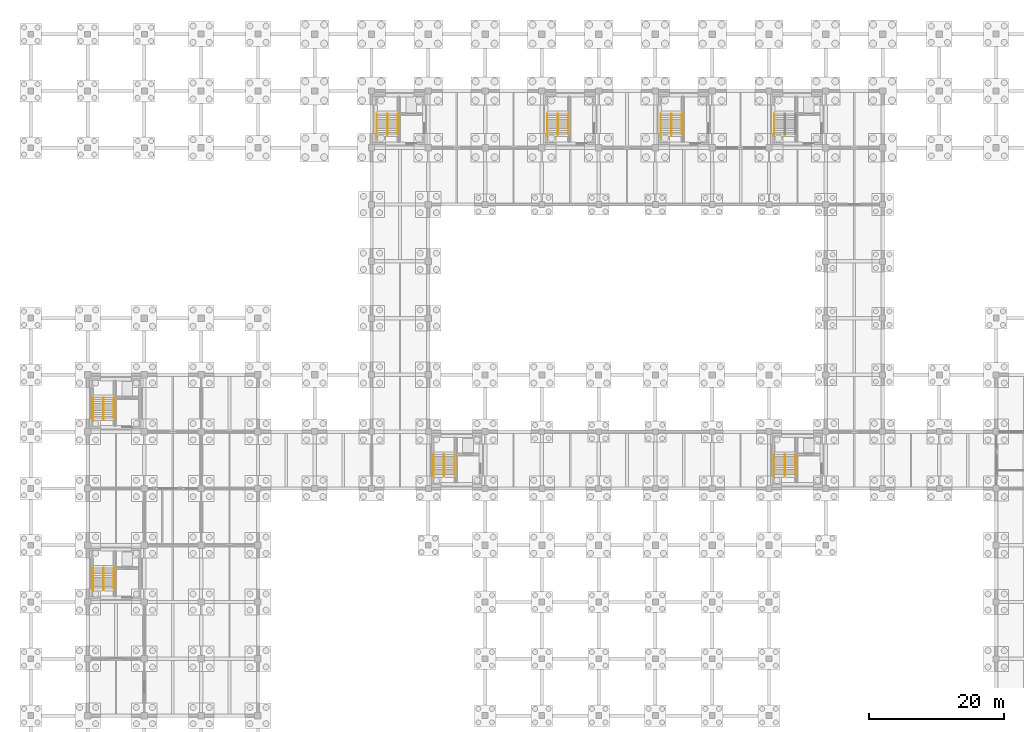
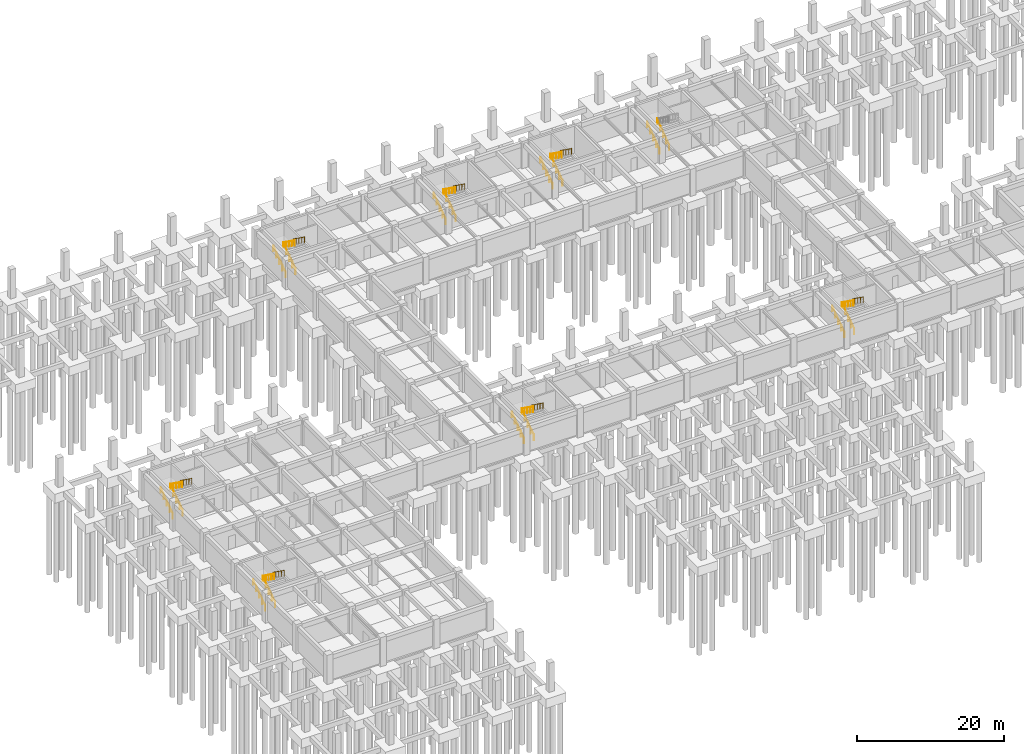
# One storey, part 27 of 29: 30 railings.
"""IFC4 building model written with IfcOpenShell, lengths in metres."""

from ifc_helpers import new_model, si_unit, direction, frame, origin, origin_2d, place, context, subcontext, project, spatial, circle, extrude, material, type_object, element, save


model = new_model("IFC4")

# Units and contexts
model_context = context("Model", 3, precision=1e-05, world=origin(), true_north=direction((0.0, 1.0)))
body_context = subcontext(model_context, "Body", "Model", "MODEL_VIEW")
ifc_project = project(units=[si_unit("LENGTHUNIT", "METRE"), si_unit("AREAUNIT", "SQUARE_METRE"), si_unit("VOLUMEUNIT", "CUBIC_METRE"), si_unit("PLANEANGLEUNIT", "RADIAN"), si_unit("MASSUNIT", "GRAM", prefix="KILO")], contexts=[model_context])

# Site, building, storey
site_placement = place(None, origin())
site = spatial("IfcSite", under=ifc_project, at=site_placement, CompositionType="ELEMENT")
building_placement = place(site_placement, origin())
building = spatial("IfcBuilding", under=site, at=building_placement, Name="Porcellanite Civic Hall", CompositionType="ELEMENT")
storey_placement = place(building_placement, frame((0.0, 0.0, -4.5)))
storey = spatial("IfcBuildingStorey", under=building, at=storey_placement, Name="B1", CompositionType="ELEMENT", Elevation=-4.5)

# Railings
ifc_material_1 = material(Name="Brushed stainless steel 316", Category="steel")
railing_type_1 = type_object("IfcRailingType", Name="RL-HR920", PredefinedType="HANDRAIL", material=ifc_material_1)
railing_1_placement = place(storey_placement, frame((9.18505859375, 35.324951171875, 0.0)))
element("IfcRailing", 1, at=railing_1_placement, inside=storey, type_object=railing_type_1, Name="Stair handrail ST-01 B1 1", PredefinedType="HANDRAIL", context=body_context, shape_type="SweptSolid", body=[
    extrude(circle(Radius=0.02197265625, at=origin_2d()), frame((0.0, 0.0, 0.89794921875), z_axis=(0.0, 0.815726678323, 0.578437538782), x_axis=(-1.0, 0.0, 0.0)), (0.0, 0.0, 1.0), 4.045654296875),
    extrude(circle(Radius=0.01904296875, at=origin_2d()), origin(), (0.0, 0.0, 1.0), 0.8759765625),
    extrude(circle(Radius=0.01904296875, at=origin_2d()), frame((0.0, 0.824951171875, 0.5849609375)), (0.0, 0.0, 1.0), 0.8759765625),
    extrude(circle(Radius=0.01904296875, at=origin_2d()), frame((0.0, 1.64990234375, 1.169921875)), (0.0, 0.0, 1.0), 0.8759765625),
    extrude(circle(Radius=0.01904296875, at=origin_2d()), frame((0.0, 2.47509765625, 1.755126953125)), (0.0, 0.0, 1.0), 0.8759765625),
    extrude(circle(Radius=0.01904296875, at=origin_2d()), frame((0.0, 3.300048828125, 2.340087890625)), (0.0, 0.0, 1.0), 0.8759765625),
])
railing_2_placement = place(storey_placement, frame((10.764892578125, 38.625, 2.340087890625)))
element("IfcRailing", 2, at=railing_2_placement, inside=storey, type_object=railing_type_1, Name="Stair handrail ST-01 B1 3", PredefinedType="HANDRAIL", context=body_context, shape_type="SweptSolid", body=[
    extrude(circle(Radius=0.02197265625, at=origin_2d()), frame((0.0, 0.0, 0.89794921875), z_axis=(0.0, -0.813826661234, 0.581107705564), x_axis=(1.0, 0.0, 0.0)), (0.0, 0.0, 1.0), 3.716796875),
    extrude(circle(Radius=0.01904296875, at=origin_2d()), origin(), (0.0, 0.0, 1.0), 0.8759765625),
    extrude(circle(Radius=0.01904296875, at=origin_2d()), frame((0.0, -0.75634765625, 0.5400390625)), (0.0, 0.0, 1.0), 0.8759765625),
    extrude(circle(Radius=0.01904296875, at=origin_2d()), frame((0.0, -1.512451171875, 1.080078125)), (0.0, 0.0, 1.0), 0.8759765625),
    extrude(circle(Radius=0.01904296875, at=origin_2d()), frame((0.0, -2.2685546875, 1.619873046875)), (0.0, 0.0, 1.0), 0.8759765625),
    extrude(circle(Radius=0.01904296875, at=origin_2d()), frame((0.0, -3.02490234375, 2.159912109375)), (0.0, 0.0, 1.0), 0.8759765625),
])
railing_3_placement = place(storey_placement, frame((9.18505859375, 60.52490234375, 0.0)))
element("IfcRailing", 3, at=railing_3_placement, inside=storey, type_object=railing_type_1, Name="Stair handrail ST-02 B1 1", PredefinedType="HANDRAIL", context=body_context, shape_type="SweptSolid", body=[
    extrude(circle(Radius=0.02197265625, at=origin_2d()), frame((0.0, 0.0, 0.89794921875), z_axis=(0.0, 0.815726678323, 0.578437538782), x_axis=(-1.0, 0.0, 0.0)), (0.0, 0.0, 1.0), 4.045654296875),
    extrude(circle(Radius=0.01904296875, at=origin_2d()), origin(), (0.0, 0.0, 1.0), 0.8759765625),
    extrude(circle(Radius=0.01904296875, at=origin_2d()), frame((0.0, 0.824951171875, 0.5849609375)), (0.0, 0.0, 1.0), 0.8759765625),
    extrude(circle(Radius=0.01904296875, at=origin_2d()), frame((0.0, 1.64990234375, 1.169921875)), (0.0, 0.0, 1.0), 0.8759765625),
    extrude(circle(Radius=0.01904296875, at=origin_2d()), frame((0.0, 2.47509765625, 1.755126953125)), (0.0, 0.0, 1.0), 0.8759765625),
    extrude(circle(Radius=0.01904296875, at=origin_2d()), frame((0.0, 3.300048828125, 2.340087890625)), (0.0, 0.0, 1.0), 0.8759765625),
])
railing_4_placement = place(storey_placement, frame((10.764892578125, 63.824951171875, 2.340087890625)))
element("IfcRailing", 4, at=railing_4_placement, inside=storey, type_object=railing_type_1, Name="Stair handrail ST-02 B1 3", PredefinedType="HANDRAIL", context=body_context, shape_type="SweptSolid", body=[
    extrude(circle(Radius=0.02197265625, at=origin_2d()), frame((0.0, 0.0, 0.89794921875), z_axis=(0.0, -0.813826661234, 0.581107705564), x_axis=(1.0, 0.0, 0.0)), (0.0, 0.0, 1.0), 3.716796875),
    extrude(circle(Radius=0.01904296875, at=origin_2d()), origin(), (0.0, 0.0, 1.0), 0.8759765625),
    extrude(circle(Radius=0.01904296875, at=origin_2d()), frame((0.0, -0.75634765625, 0.5400390625)), (0.0, 0.0, 1.0), 0.8759765625),
    extrude(circle(Radius=0.01904296875, at=origin_2d()), frame((0.0, -1.512451171875, 1.080078125)), (0.0, 0.0, 1.0), 0.8759765625),
    extrude(circle(Radius=0.01904296875, at=origin_2d()), frame((0.0, -2.2685546875, 1.619873046875)), (0.0, 0.0, 1.0), 0.8759765625),
    extrude(circle(Radius=0.01904296875, at=origin_2d()), frame((0.0, -3.02490234375, 2.159912109375)), (0.0, 0.0, 1.0), 0.8759765625),
])
railing_5_placement = place(storey_placement, frame((51.18505859375, 102.52490234375, 0.0)))
element("IfcRailing", 5, at=railing_5_placement, inside=storey, type_object=railing_type_1, Name="Stair handrail ST-03 B1 1", PredefinedType="HANDRAIL", context=body_context, shape_type="SweptSolid", body=[
    extrude(circle(Radius=0.02197265625, at=origin_2d()), frame((0.0, 0.0, 0.89794921875), z_axis=(0.0, 0.815726678323, 0.578437538782), x_axis=(-1.0, 0.0, 0.0)), (0.0, 0.0, 1.0), 4.045654296875),
    extrude(circle(Radius=0.01904296875, at=origin_2d()), origin(), (0.0, 0.0, 1.0), 0.8759765625),
    extrude(circle(Radius=0.01904296875, at=origin_2d()), frame((0.0, 0.824951171875, 0.5849609375)), (0.0, 0.0, 1.0), 0.8759765625),
    extrude(circle(Radius=0.01904296875, at=origin_2d()), frame((0.0, 1.64990234375, 1.169921875)), (0.0, 0.0, 1.0), 0.8759765625),
    extrude(circle(Radius=0.01904296875, at=origin_2d()), frame((0.0, 2.47509765625, 1.755126953125)), (0.0, 0.0, 1.0), 0.8759765625),
    extrude(circle(Radius=0.01904296875, at=origin_2d()), frame((0.0, 3.300048828125, 2.340087890625)), (0.0, 0.0, 1.0), 0.8759765625),
])
railing_6_placement = place(storey_placement, frame((52.764892578125, 105.824951171875, 2.340087890625)))
element("IfcRailing", 6, at=railing_6_placement, inside=storey, type_object=railing_type_1, Name="Stair handrail ST-03 B1 3", PredefinedType="HANDRAIL", context=body_context, shape_type="SweptSolid", body=[
    extrude(circle(Radius=0.02197265625, at=origin_2d()), frame((0.0, 0.0, 0.89794921875), z_axis=(0.0, -0.813826661234, 0.581107705564), x_axis=(1.0, 0.0, 0.0)), (0.0, 0.0, 1.0), 3.716796875),
    extrude(circle(Radius=0.01904296875, at=origin_2d()), origin(), (0.0, 0.0, 1.0), 0.8759765625),
    extrude(circle(Radius=0.01904296875, at=origin_2d()), frame((0.0, -0.75634765625, 0.5400390625)), (0.0, 0.0, 1.0), 0.8759765625),
    extrude(circle(Radius=0.01904296875, at=origin_2d()), frame((0.0, -1.512451171875, 1.080078125)), (0.0, 0.0, 1.0), 0.8759765625),
    extrude(circle(Radius=0.01904296875, at=origin_2d()), frame((0.0, -2.2685546875, 1.619873046875)), (0.0, 0.0, 1.0), 0.8759765625),
    extrude(circle(Radius=0.01904296875, at=origin_2d()), frame((0.0, -3.02490234375, 2.159912109375)), (0.0, 0.0, 1.0), 0.8759765625),
])
for number, where, name in (
    (7, (109.985107421875, 102.52490234375, 0.0), "Stair handrail ST-04 B1 1"),
    (8, (59.5849609375, 52.125, 0.0), "Stair handrail ST-05 B1 1"),
):
    element("IfcRailing", number, at=place(storey_placement, frame(where)), inside=storey, type_object=railing_type_1, Name=name, PredefinedType="HANDRAIL", context=body_context, shape_type="SweptSolid", body=[
        extrude(circle(Radius=0.02197265625, at=origin_2d()), frame((0.0, 0.0, 0.89794921875), z_axis=(0.0, 0.815726678323, 0.578437538782), x_axis=(-1.0, 0.0, 0.0)), (0.0, 0.0, 1.0), 4.045654296875),
        extrude(circle(Radius=0.01904296875, at=origin_2d()), origin(), (0.0, 0.0, 1.0), 0.8759765625),
        extrude(circle(Radius=0.01904296875, at=origin_2d()), frame((0.0, 0.824951171875, 0.5849609375)), (0.0, 0.0, 1.0), 0.8759765625),
        extrude(circle(Radius=0.01904296875, at=origin_2d()), frame((0.0, 1.64990234375, 1.169921875)), (0.0, 0.0, 1.0), 0.8759765625),
        extrude(circle(Radius=0.01904296875, at=origin_2d()), frame((0.0, 2.47509765625, 1.755126953125)), (0.0, 0.0, 1.0), 0.8759765625),
        extrude(circle(Radius=0.01904296875, at=origin_2d()), frame((0.0, 3.300048828125, 2.340087890625)), (0.0, 0.0, 1.0), 0.8759765625),
    ])
railing_7_placement = place(storey_placement, frame((61.1650390625, 55.425048828125, 2.340087890625)))
element("IfcRailing", 9, at=railing_7_placement, inside=storey, type_object=railing_type_1, Name="Stair handrail ST-05 B1 3", PredefinedType="HANDRAIL", context=body_context, shape_type="SweptSolid", body=[
    extrude(circle(Radius=0.02197265625, at=origin_2d()), frame((0.0, 0.0, 0.89794921875), z_axis=(0.0, -0.813848840085, 0.581076643389), x_axis=(1.0, 0.0, 0.0)), (0.0, 0.0, 1.0), 3.717041015625),
    extrude(circle(Radius=0.01904296875, at=origin_2d()), origin(), (0.0, 0.0, 1.0), 0.8759765625),
    extrude(circle(Radius=0.01904296875, at=origin_2d()), frame((0.0, -0.75634765625, 0.5400390625)), (0.0, 0.0, 1.0), 0.8759765625),
    extrude(circle(Radius=0.01904296875, at=origin_2d()), frame((0.0, -1.5126953125, 1.080078125)), (0.0, 0.0, 1.0), 0.8759765625),
    extrude(circle(Radius=0.01904296875, at=origin_2d()), frame((0.0, -2.268798828125, 1.619873046875)), (0.0, 0.0, 1.0), 0.8759765625),
    extrude(circle(Radius=0.01904296875, at=origin_2d()), frame((0.0, -3.025146484375, 2.159912109375)), (0.0, 0.0, 1.0), 0.8759765625),
])
railing_8_placement = place(storey_placement, frame((109.985107421875, 52.125, 0.0)))
element("IfcRailing", 10, at=railing_8_placement, inside=storey, type_object=railing_type_1, Name="Stair handrail ST-06 B1 1", PredefinedType="HANDRAIL", context=body_context, shape_type="SweptSolid", body=[
    extrude(circle(Radius=0.02197265625, at=origin_2d()), frame((0.0, 0.0, 0.89794921875), z_axis=(0.0, 0.815726678323, 0.578437538782), x_axis=(-1.0, 0.0, 0.0)), (0.0, 0.0, 1.0), 4.045654296875),
    extrude(circle(Radius=0.01904296875, at=origin_2d()), origin(), (0.0, 0.0, 1.0), 0.8759765625),
    extrude(circle(Radius=0.01904296875, at=origin_2d()), frame((0.0, 0.824951171875, 0.5849609375)), (0.0, 0.0, 1.0), 0.8759765625),
    extrude(circle(Radius=0.01904296875, at=origin_2d()), frame((0.0, 1.64990234375, 1.169921875)), (0.0, 0.0, 1.0), 0.8759765625),
    extrude(circle(Radius=0.01904296875, at=origin_2d()), frame((0.0, 2.47509765625, 1.755126953125)), (0.0, 0.0, 1.0), 0.8759765625),
    extrude(circle(Radius=0.01904296875, at=origin_2d()), frame((0.0, 3.300048828125, 2.340087890625)), (0.0, 0.0, 1.0), 0.8759765625),
])
railing_9_placement = place(storey_placement, frame((111.56494140625, 55.425048828125, 2.340087890625)))
element("IfcRailing", 11, at=railing_9_placement, inside=storey, type_object=railing_type_1, Name="Stair handrail ST-06 B1 3", PredefinedType="HANDRAIL", context=body_context, shape_type="SweptSolid", body=[
    extrude(circle(Radius=0.02197265625, at=origin_2d()), frame((0.0, 0.0, 0.89794921875), z_axis=(0.0, -0.813848840085, 0.581076643389), x_axis=(1.0, 0.0, 0.0)), (0.0, 0.0, 1.0), 3.717041015625),
    extrude(circle(Radius=0.01904296875, at=origin_2d()), origin(), (0.0, 0.0, 1.0), 0.8759765625),
    extrude(circle(Radius=0.01904296875, at=origin_2d()), frame((0.0, -0.75634765625, 0.5400390625)), (0.0, 0.0, 1.0), 0.8759765625),
    extrude(circle(Radius=0.01904296875, at=origin_2d()), frame((0.0, -1.5126953125, 1.080078125)), (0.0, 0.0, 1.0), 0.8759765625),
    extrude(circle(Radius=0.01904296875, at=origin_2d()), frame((0.0, -2.268798828125, 1.619873046875)), (0.0, 0.0, 1.0), 0.8759765625),
    extrude(circle(Radius=0.01904296875, at=origin_2d()), frame((0.0, -3.025146484375, 2.159912109375)), (0.0, 0.0, 1.0), 0.8759765625),
])
railing_10_placement = place(storey_placement, frame((76.385009765625, 102.52490234375, 0.0)))
element("IfcRailing", 12, at=railing_10_placement, inside=storey, type_object=railing_type_1, Name="Stair handrail ST-09 B1 1", PredefinedType="HANDRAIL", context=body_context, shape_type="SweptSolid", body=[
    extrude(circle(Radius=0.02197265625, at=origin_2d()), frame((0.0, 0.0, 0.89794921875), z_axis=(0.0, 0.815726678323, 0.578437538782), x_axis=(-1.0, 0.0, 0.0)), (0.0, 0.0, 1.0), 4.045654296875),
    extrude(circle(Radius=0.01904296875, at=origin_2d()), origin(), (0.0, 0.0, 1.0), 0.8759765625),
    extrude(circle(Radius=0.01904296875, at=origin_2d()), frame((0.0, 0.824951171875, 0.5849609375)), (0.0, 0.0, 1.0), 0.8759765625),
    extrude(circle(Radius=0.01904296875, at=origin_2d()), frame((0.0, 1.64990234375, 1.169921875)), (0.0, 0.0, 1.0), 0.8759765625),
    extrude(circle(Radius=0.01904296875, at=origin_2d()), frame((0.0, 2.47509765625, 1.755126953125)), (0.0, 0.0, 1.0), 0.8759765625),
    extrude(circle(Radius=0.01904296875, at=origin_2d()), frame((0.0, 3.300048828125, 2.340087890625)), (0.0, 0.0, 1.0), 0.8759765625),
])
railing_11_placement = place(storey_placement, frame((77.965087890625, 105.824951171875, 2.340087890625)))
element("IfcRailing", 13, at=railing_11_placement, inside=storey, type_object=railing_type_1, Name="Stair handrail ST-09 B1 3", PredefinedType="HANDRAIL", context=body_context, shape_type="SweptSolid", body=[
    extrude(circle(Radius=0.02197265625, at=origin_2d()), frame((0.0, 0.0, 0.89794921875), z_axis=(0.0, -0.813826661234, 0.581107705564), x_axis=(1.0, 0.0, 0.0)), (0.0, 0.0, 1.0), 3.716796875),
    extrude(circle(Radius=0.01904296875, at=origin_2d()), origin(), (0.0, 0.0, 1.0), 0.8759765625),
    extrude(circle(Radius=0.01904296875, at=origin_2d()), frame((0.0, -0.75634765625, 0.5400390625)), (0.0, 0.0, 1.0), 0.8759765625),
    extrude(circle(Radius=0.01904296875, at=origin_2d()), frame((0.0, -1.512451171875, 1.080078125)), (0.0, 0.0, 1.0), 0.8759765625),
    extrude(circle(Radius=0.01904296875, at=origin_2d()), frame((0.0, -2.2685546875, 1.619873046875)), (0.0, 0.0, 1.0), 0.8759765625),
    extrude(circle(Radius=0.01904296875, at=origin_2d()), frame((0.0, -3.02490234375, 2.159912109375)), (0.0, 0.0, 1.0), 0.8759765625),
])
railing_12_placement = place(storey_placement, frame((93.18505859375, 102.52490234375, 0.0)))
element("IfcRailing", 14, at=railing_12_placement, inside=storey, type_object=railing_type_1, Name="Stair handrail ST-10 B1 1", PredefinedType="HANDRAIL", context=body_context, shape_type="SweptSolid", body=[
    extrude(circle(Radius=0.02197265625, at=origin_2d()), frame((0.0, 0.0, 0.89794921875), z_axis=(0.0, 0.815726678323, 0.578437538782), x_axis=(-1.0, 0.0, 0.0)), (0.0, 0.0, 1.0), 4.045654296875),
    extrude(circle(Radius=0.01904296875, at=origin_2d()), origin(), (0.0, 0.0, 1.0), 0.8759765625),
    extrude(circle(Radius=0.01904296875, at=origin_2d()), frame((0.0, 0.824951171875, 0.5849609375)), (0.0, 0.0, 1.0), 0.8759765625),
    extrude(circle(Radius=0.01904296875, at=origin_2d()), frame((0.0, 1.64990234375, 1.169921875)), (0.0, 0.0, 1.0), 0.8759765625),
    extrude(circle(Radius=0.01904296875, at=origin_2d()), frame((0.0, 2.47509765625, 1.755126953125)), (0.0, 0.0, 1.0), 0.8759765625),
    extrude(circle(Radius=0.01904296875, at=origin_2d()), frame((0.0, 3.300048828125, 2.340087890625)), (0.0, 0.0, 1.0), 0.8759765625),
])
railing_13_placement = place(storey_placement, frame((94.764892578125, 105.824951171875, 2.340087890625)))
element("IfcRailing", 15, at=railing_13_placement, inside=storey, type_object=railing_type_1, Name="Stair handrail ST-10 B1 3", PredefinedType="HANDRAIL", context=body_context, shape_type="SweptSolid", body=[
    extrude(circle(Radius=0.02197265625, at=origin_2d()), frame((0.0, 0.0, 0.89794921875), z_axis=(0.0, -0.813826661234, 0.581107705564), x_axis=(1.0, 0.0, 0.0)), (0.0, 0.0, 1.0), 3.716796875),
    extrude(circle(Radius=0.01904296875, at=origin_2d()), origin(), (0.0, 0.0, 1.0), 0.8759765625),
    extrude(circle(Radius=0.01904296875, at=origin_2d()), frame((0.0, -0.75634765625, 0.5400390625)), (0.0, 0.0, 1.0), 0.8759765625),
    extrude(circle(Radius=0.01904296875, at=origin_2d()), frame((0.0, -1.512451171875, 1.080078125)), (0.0, 0.0, 1.0), 0.8759765625),
    extrude(circle(Radius=0.01904296875, at=origin_2d()), frame((0.0, -2.2685546875, 1.619873046875)), (0.0, 0.0, 1.0), 0.8759765625),
    extrude(circle(Radius=0.01904296875, at=origin_2d()), frame((0.0, -3.02490234375, 2.159912109375)), (0.0, 0.0, 1.0), 0.8759765625),
])
ifc_material_2 = material(Name="Brushed stainless steel 316", Category="steel")
railing_type_2 = type_object("IfcRailingType", Name="RL-HR950", PredefinedType="HANDRAIL", material=ifc_material_2)
railing_14_placement = place(storey_placement, frame((10.735107421875, 35.324951171875, 0.0)))
element("IfcRailing", 16, at=railing_14_placement, inside=storey, type_object=railing_type_2, Name="Stair handrail ST-01 B1 2", PredefinedType="HANDRAIL", context=body_context, shape_type="SweptSolid", body=[
    extrude(circle(Radius=0.02197265625, at=origin_2d()), frame((0.0, 0.0, 0.927978515625), z_axis=(0.0, 0.815726678323, 0.578437538782), x_axis=(-1.0, 0.0, 0.0)), (0.0, 0.0, 1.0), 4.045654296875),
    extrude(circle(Radius=0.01904296875, at=origin_2d()), origin(), (0.0, 0.0, 1.0), 0.906005859375),
    extrude(circle(Radius=0.01904296875, at=origin_2d()), frame((0.0, 0.824951171875, 0.5849609375)), (0.0, 0.0, 1.0), 0.906005859375),
    extrude(circle(Radius=0.01904296875, at=origin_2d()), frame((0.0, 1.64990234375, 1.169921875)), (0.0, 0.0, 1.0), 0.906005859375),
    extrude(circle(Radius=0.01904296875, at=origin_2d()), frame((0.0, 2.47509765625, 1.755126953125)), (0.0, 0.0, 1.0), 0.906005859375),
    extrude(circle(Radius=0.01904296875, at=origin_2d()), frame((0.0, 3.300048828125, 2.340087890625)), (0.0, 0.0, 1.0), 0.906005859375),
])
railing_15_placement = place(storey_placement, frame((12.31494140625, 38.625, 2.340087890625)))
element("IfcRailing", 17, at=railing_15_placement, inside=storey, type_object=railing_type_2, Name="Stair handrail ST-01 B1 4", PredefinedType="HANDRAIL", context=body_context, shape_type="SweptSolid", body=[
    extrude(circle(Radius=0.02197265625, at=origin_2d()), frame((0.0, 0.0, 0.927978515625), z_axis=(0.0, -0.813826661234, 0.581107705564), x_axis=(1.0, 0.0, 0.0)), (0.0, 0.0, 1.0), 3.716796875),
    extrude(circle(Radius=0.01904296875, at=origin_2d()), origin(), (0.0, 0.0, 1.0), 0.906005859375),
    extrude(circle(Radius=0.01904296875, at=origin_2d()), frame((0.0, -0.75634765625, 0.5400390625)), (0.0, 0.0, 1.0), 0.906005859375),
    extrude(circle(Radius=0.01904296875, at=origin_2d()), frame((0.0, -1.512451171875, 1.080078125)), (0.0, 0.0, 1.0), 0.906005859375),
    extrude(circle(Radius=0.01904296875, at=origin_2d()), frame((0.0, -2.2685546875, 1.619873046875)), (0.0, 0.0, 1.0), 0.906005859375),
    extrude(circle(Radius=0.01904296875, at=origin_2d()), frame((0.0, -3.02490234375, 2.159912109375)), (0.0, 0.0, 1.0), 0.906005859375),
])
railing_16_placement = place(storey_placement, frame((10.735107421875, 60.52490234375, 0.0)))
element("IfcRailing", 18, at=railing_16_placement, inside=storey, type_object=railing_type_2, Name="Stair handrail ST-02 B1 2", PredefinedType="HANDRAIL", context=body_context, shape_type="SweptSolid", body=[
    extrude(circle(Radius=0.02197265625, at=origin_2d()), frame((0.0, 0.0, 0.927978515625), z_axis=(0.0, 0.815726678323, 0.578437538782), x_axis=(-1.0, 0.0, 0.0)), (0.0, 0.0, 1.0), 4.045654296875),
    extrude(circle(Radius=0.01904296875, at=origin_2d()), origin(), (0.0, 0.0, 1.0), 0.906005859375),
    extrude(circle(Radius=0.01904296875, at=origin_2d()), frame((0.0, 0.824951171875, 0.5849609375)), (0.0, 0.0, 1.0), 0.906005859375),
    extrude(circle(Radius=0.01904296875, at=origin_2d()), frame((0.0, 1.64990234375, 1.169921875)), (0.0, 0.0, 1.0), 0.906005859375),
    extrude(circle(Radius=0.01904296875, at=origin_2d()), frame((0.0, 2.47509765625, 1.755126953125)), (0.0, 0.0, 1.0), 0.906005859375),
    extrude(circle(Radius=0.01904296875, at=origin_2d()), frame((0.0, 3.300048828125, 2.340087890625)), (0.0, 0.0, 1.0), 0.906005859375),
])
railing_17_placement = place(storey_placement, frame((12.31494140625, 63.824951171875, 2.340087890625)))
element("IfcRailing", 19, at=railing_17_placement, inside=storey, type_object=railing_type_2, Name="Stair handrail ST-02 B1 4", PredefinedType="HANDRAIL", context=body_context, shape_type="SweptSolid", body=[
    extrude(circle(Radius=0.02197265625, at=origin_2d()), frame((0.0, 0.0, 0.927978515625), z_axis=(0.0, -0.813826661234, 0.581107705564), x_axis=(1.0, 0.0, 0.0)), (0.0, 0.0, 1.0), 3.716796875),
    extrude(circle(Radius=0.01904296875, at=origin_2d()), origin(), (0.0, 0.0, 1.0), 0.906005859375),
    extrude(circle(Radius=0.01904296875, at=origin_2d()), frame((0.0, -0.75634765625, 0.5400390625)), (0.0, 0.0, 1.0), 0.906005859375),
    extrude(circle(Radius=0.01904296875, at=origin_2d()), frame((0.0, -1.512451171875, 1.080078125)), (0.0, 0.0, 1.0), 0.906005859375),
    extrude(circle(Radius=0.01904296875, at=origin_2d()), frame((0.0, -2.2685546875, 1.619873046875)), (0.0, 0.0, 1.0), 0.906005859375),
    extrude(circle(Radius=0.01904296875, at=origin_2d()), frame((0.0, -3.02490234375, 2.159912109375)), (0.0, 0.0, 1.0), 0.906005859375),
])
railing_18_placement = place(storey_placement, frame((52.735107421875, 102.52490234375, 0.0)))
element("IfcRailing", 20, at=railing_18_placement, inside=storey, type_object=railing_type_2, Name="Stair handrail ST-03 B1 2", PredefinedType="HANDRAIL", context=body_context, shape_type="SweptSolid", body=[
    extrude(circle(Radius=0.02197265625, at=origin_2d()), frame((0.0, 0.0, 0.927978515625), z_axis=(0.0, 0.815726678323, 0.578437538782), x_axis=(-1.0, 0.0, 0.0)), (0.0, 0.0, 1.0), 4.045654296875),
    extrude(circle(Radius=0.01904296875, at=origin_2d()), origin(), (0.0, 0.0, 1.0), 0.906005859375),
    extrude(circle(Radius=0.01904296875, at=origin_2d()), frame((0.0, 0.824951171875, 0.5849609375)), (0.0, 0.0, 1.0), 0.906005859375),
    extrude(circle(Radius=0.01904296875, at=origin_2d()), frame((0.0, 1.64990234375, 1.169921875)), (0.0, 0.0, 1.0), 0.906005859375),
    extrude(circle(Radius=0.01904296875, at=origin_2d()), frame((0.0, 2.47509765625, 1.755126953125)), (0.0, 0.0, 1.0), 0.906005859375),
    extrude(circle(Radius=0.01904296875, at=origin_2d()), frame((0.0, 3.300048828125, 2.340087890625)), (0.0, 0.0, 1.0), 0.906005859375),
])
railing_19_placement = place(storey_placement, frame((54.31494140625, 105.824951171875, 2.340087890625)))
element("IfcRailing", 21, at=railing_19_placement, inside=storey, type_object=railing_type_2, Name="Stair handrail ST-03 B1 4", PredefinedType="HANDRAIL", context=body_context, shape_type="SweptSolid", body=[
    extrude(circle(Radius=0.02197265625, at=origin_2d()), frame((0.0, 0.0, 0.927978515625), z_axis=(0.0, -0.813826661234, 0.581107705564), x_axis=(1.0, 0.0, 0.0)), (0.0, 0.0, 1.0), 3.716796875),
    extrude(circle(Radius=0.01904296875, at=origin_2d()), origin(), (0.0, 0.0, 1.0), 0.906005859375),
    extrude(circle(Radius=0.01904296875, at=origin_2d()), frame((0.0, -0.75634765625, 0.5400390625)), (0.0, 0.0, 1.0), 0.906005859375),
    extrude(circle(Radius=0.01904296875, at=origin_2d()), frame((0.0, -1.512451171875, 1.080078125)), (0.0, 0.0, 1.0), 0.906005859375),
    extrude(circle(Radius=0.01904296875, at=origin_2d()), frame((0.0, -2.2685546875, 1.619873046875)), (0.0, 0.0, 1.0), 0.906005859375),
    extrude(circle(Radius=0.01904296875, at=origin_2d()), frame((0.0, -3.02490234375, 2.159912109375)), (0.0, 0.0, 1.0), 0.906005859375),
])
for number, where, name in (
    (22, (111.534912109375, 102.52490234375, 0.0), "Stair handrail ST-04 B1 2"),
    (23, (61.135009765625, 52.125, 0.0), "Stair handrail ST-05 B1 2"),
):
    element("IfcRailing", number, at=place(storey_placement, frame(where)), inside=storey, type_object=railing_type_2, Name=name, PredefinedType="HANDRAIL", context=body_context, shape_type="SweptSolid", body=[
        extrude(circle(Radius=0.02197265625, at=origin_2d()), frame((0.0, 0.0, 0.927978515625), z_axis=(0.0, 0.815726678323, 0.578437538782), x_axis=(-1.0, 0.0, 0.0)), (0.0, 0.0, 1.0), 4.045654296875),
        extrude(circle(Radius=0.01904296875, at=origin_2d()), origin(), (0.0, 0.0, 1.0), 0.906005859375),
        extrude(circle(Radius=0.01904296875, at=origin_2d()), frame((0.0, 0.824951171875, 0.5849609375)), (0.0, 0.0, 1.0), 0.906005859375),
        extrude(circle(Radius=0.01904296875, at=origin_2d()), frame((0.0, 1.64990234375, 1.169921875)), (0.0, 0.0, 1.0), 0.906005859375),
        extrude(circle(Radius=0.01904296875, at=origin_2d()), frame((0.0, 2.47509765625, 1.755126953125)), (0.0, 0.0, 1.0), 0.906005859375),
        extrude(circle(Radius=0.01904296875, at=origin_2d()), frame((0.0, 3.300048828125, 2.340087890625)), (0.0, 0.0, 1.0), 0.906005859375),
    ])
railing_20_placement = place(storey_placement, frame((62.715087890625, 55.425048828125, 2.340087890625)))
element("IfcRailing", 24, at=railing_20_placement, inside=storey, type_object=railing_type_2, Name="Stair handrail ST-05 B1 4", PredefinedType="HANDRAIL", context=body_context, shape_type="SweptSolid", body=[
    extrude(circle(Radius=0.02197265625, at=origin_2d()), frame((0.0, 0.0, 0.927978515625), z_axis=(0.0, -0.813848840085, 0.581076643389), x_axis=(1.0, 0.0, 0.0)), (0.0, 0.0, 1.0), 3.717041015625),
    extrude(circle(Radius=0.01904296875, at=origin_2d()), origin(), (0.0, 0.0, 1.0), 0.906005859375),
    extrude(circle(Radius=0.01904296875, at=origin_2d()), frame((0.0, -0.75634765625, 0.5400390625)), (0.0, 0.0, 1.0), 0.906005859375),
    extrude(circle(Radius=0.01904296875, at=origin_2d()), frame((0.0, -1.5126953125, 1.080078125)), (0.0, 0.0, 1.0), 0.906005859375),
    extrude(circle(Radius=0.01904296875, at=origin_2d()), frame((0.0, -2.268798828125, 1.619873046875)), (0.0, 0.0, 1.0), 0.906005859375),
    extrude(circle(Radius=0.01904296875, at=origin_2d()), frame((0.0, -3.025146484375, 2.159912109375)), (0.0, 0.0, 1.0), 0.906005859375),
])
railing_21_placement = place(storey_placement, frame((111.534912109375, 52.125, 0.0)))
element("IfcRailing", 25, at=railing_21_placement, inside=storey, type_object=railing_type_2, Name="Stair handrail ST-06 B1 2", PredefinedType="HANDRAIL", context=body_context, shape_type="SweptSolid", body=[
    extrude(circle(Radius=0.02197265625, at=origin_2d()), frame((0.0, 0.0, 0.927978515625), z_axis=(0.0, 0.815726678323, 0.578437538782), x_axis=(-1.0, 0.0, 0.0)), (0.0, 0.0, 1.0), 4.045654296875),
    extrude(circle(Radius=0.01904296875, at=origin_2d()), origin(), (0.0, 0.0, 1.0), 0.906005859375),
    extrude(circle(Radius=0.01904296875, at=origin_2d()), frame((0.0, 0.824951171875, 0.5849609375)), (0.0, 0.0, 1.0), 0.906005859375),
    extrude(circle(Radius=0.01904296875, at=origin_2d()), frame((0.0, 1.64990234375, 1.169921875)), (0.0, 0.0, 1.0), 0.906005859375),
    extrude(circle(Radius=0.01904296875, at=origin_2d()), frame((0.0, 2.47509765625, 1.755126953125)), (0.0, 0.0, 1.0), 0.906005859375),
    extrude(circle(Radius=0.01904296875, at=origin_2d()), frame((0.0, 3.300048828125, 2.340087890625)), (0.0, 0.0, 1.0), 0.906005859375),
])
railing_22_placement = place(storey_placement, frame((113.114990234375, 55.425048828125, 2.340087890625)))
element("IfcRailing", 26, at=railing_22_placement, inside=storey, type_object=railing_type_2, Name="Stair handrail ST-06 B1 4", PredefinedType="HANDRAIL", context=body_context, shape_type="SweptSolid", body=[
    extrude(circle(Radius=0.02197265625, at=origin_2d()), frame((0.0, 0.0, 0.927978515625), z_axis=(0.0, -0.813848840085, 0.581076643389), x_axis=(1.0, 0.0, 0.0)), (0.0, 0.0, 1.0), 3.717041015625),
    extrude(circle(Radius=0.01904296875, at=origin_2d()), origin(), (0.0, 0.0, 1.0), 0.906005859375),
    extrude(circle(Radius=0.01904296875, at=origin_2d()), frame((0.0, -0.75634765625, 0.5400390625)), (0.0, 0.0, 1.0), 0.906005859375),
    extrude(circle(Radius=0.01904296875, at=origin_2d()), frame((0.0, -1.5126953125, 1.080078125)), (0.0, 0.0, 1.0), 0.906005859375),
    extrude(circle(Radius=0.01904296875, at=origin_2d()), frame((0.0, -2.268798828125, 1.619873046875)), (0.0, 0.0, 1.0), 0.906005859375),
    extrude(circle(Radius=0.01904296875, at=origin_2d()), frame((0.0, -3.025146484375, 2.159912109375)), (0.0, 0.0, 1.0), 0.906005859375),
])
railing_23_placement = place(storey_placement, frame((77.93505859375, 102.52490234375, 0.0)))
element("IfcRailing", 27, at=railing_23_placement, inside=storey, type_object=railing_type_2, Name="Stair handrail ST-09 B1 2", PredefinedType="HANDRAIL", context=body_context, shape_type="SweptSolid", body=[
    extrude(circle(Radius=0.02197265625, at=origin_2d()), frame((0.0, 0.0, 0.927978515625), z_axis=(0.0, 0.815726678323, 0.578437538782), x_axis=(-1.0, 0.0, 0.0)), (0.0, 0.0, 1.0), 4.045654296875),
    extrude(circle(Radius=0.01904296875, at=origin_2d()), origin(), (0.0, 0.0, 1.0), 0.906005859375),
    extrude(circle(Radius=0.01904296875, at=origin_2d()), frame((0.0, 0.824951171875, 0.5849609375)), (0.0, 0.0, 1.0), 0.906005859375),
    extrude(circle(Radius=0.01904296875, at=origin_2d()), frame((0.0, 1.64990234375, 1.169921875)), (0.0, 0.0, 1.0), 0.906005859375),
    extrude(circle(Radius=0.01904296875, at=origin_2d()), frame((0.0, 2.47509765625, 1.755126953125)), (0.0, 0.0, 1.0), 0.906005859375),
    extrude(circle(Radius=0.01904296875, at=origin_2d()), frame((0.0, 3.300048828125, 2.340087890625)), (0.0, 0.0, 1.0), 0.906005859375),
])
railing_24_placement = place(storey_placement, frame((79.514892578125, 105.824951171875, 2.340087890625)))
element("IfcRailing", 28, at=railing_24_placement, inside=storey, type_object=railing_type_2, Name="Stair handrail ST-09 B1 4", PredefinedType="HANDRAIL", context=body_context, shape_type="SweptSolid", body=[
    extrude(circle(Radius=0.02197265625, at=origin_2d()), frame((0.0, 0.0, 0.927978515625), z_axis=(0.0, -0.813826661234, 0.581107705564), x_axis=(1.0, 0.0, 0.0)), (0.0, 0.0, 1.0), 3.716796875),
    extrude(circle(Radius=0.01904296875, at=origin_2d()), origin(), (0.0, 0.0, 1.0), 0.906005859375),
    extrude(circle(Radius=0.01904296875, at=origin_2d()), frame((0.0, -0.75634765625, 0.5400390625)), (0.0, 0.0, 1.0), 0.906005859375),
    extrude(circle(Radius=0.01904296875, at=origin_2d()), frame((0.0, -1.512451171875, 1.080078125)), (0.0, 0.0, 1.0), 0.906005859375),
    extrude(circle(Radius=0.01904296875, at=origin_2d()), frame((0.0, -2.2685546875, 1.619873046875)), (0.0, 0.0, 1.0), 0.906005859375),
    extrude(circle(Radius=0.01904296875, at=origin_2d()), frame((0.0, -3.02490234375, 2.159912109375)), (0.0, 0.0, 1.0), 0.906005859375),
])
railing_25_placement = place(storey_placement, frame((94.735107421875, 102.52490234375, 0.0)))
element("IfcRailing", 29, at=railing_25_placement, inside=storey, type_object=railing_type_2, Name="Stair handrail ST-10 B1 2", PredefinedType="HANDRAIL", context=body_context, shape_type="SweptSolid", body=[
    extrude(circle(Radius=0.02197265625, at=origin_2d()), frame((0.0, 0.0, 0.927978515625), z_axis=(0.0, 0.815726678323, 0.578437538782), x_axis=(-1.0, 0.0, 0.0)), (0.0, 0.0, 1.0), 4.045654296875),
    extrude(circle(Radius=0.01904296875, at=origin_2d()), origin(), (0.0, 0.0, 1.0), 0.906005859375),
    extrude(circle(Radius=0.01904296875, at=origin_2d()), frame((0.0, 0.824951171875, 0.5849609375)), (0.0, 0.0, 1.0), 0.906005859375),
    extrude(circle(Radius=0.01904296875, at=origin_2d()), frame((0.0, 1.64990234375, 1.169921875)), (0.0, 0.0, 1.0), 0.906005859375),
    extrude(circle(Radius=0.01904296875, at=origin_2d()), frame((0.0, 2.47509765625, 1.755126953125)), (0.0, 0.0, 1.0), 0.906005859375),
    extrude(circle(Radius=0.01904296875, at=origin_2d()), frame((0.0, 3.300048828125, 2.340087890625)), (0.0, 0.0, 1.0), 0.906005859375),
])
railing_26_placement = place(storey_placement, frame((96.31494140625, 105.824951171875, 2.340087890625)))
element("IfcRailing", 30, at=railing_26_placement, inside=storey, type_object=railing_type_2, Name="Stair handrail ST-10 B1 4", PredefinedType="HANDRAIL", context=body_context, shape_type="SweptSolid", body=[
    extrude(circle(Radius=0.02197265625, at=origin_2d()), frame((0.0, 0.0, 0.927978515625), z_axis=(0.0, -0.813826661234, 0.581107705564), x_axis=(1.0, 0.0, 0.0)), (0.0, 0.0, 1.0), 3.716796875),
    extrude(circle(Radius=0.01904296875, at=origin_2d()), origin(), (0.0, 0.0, 1.0), 0.906005859375),
    extrude(circle(Radius=0.01904296875, at=origin_2d()), frame((0.0, -0.75634765625, 0.5400390625)), (0.0, 0.0, 1.0), 0.906005859375),
    extrude(circle(Radius=0.01904296875, at=origin_2d()), frame((0.0, -1.512451171875, 1.080078125)), (0.0, 0.0, 1.0), 0.906005859375),
    extrude(circle(Radius=0.01904296875, at=origin_2d()), frame((0.0, -2.2685546875, 1.619873046875)), (0.0, 0.0, 1.0), 0.906005859375),
    extrude(circle(Radius=0.01904296875, at=origin_2d()), frame((0.0, -3.02490234375, 2.159912109375)), (0.0, 0.0, 1.0), 0.906005859375),
])

save(model, "model.ifc")
